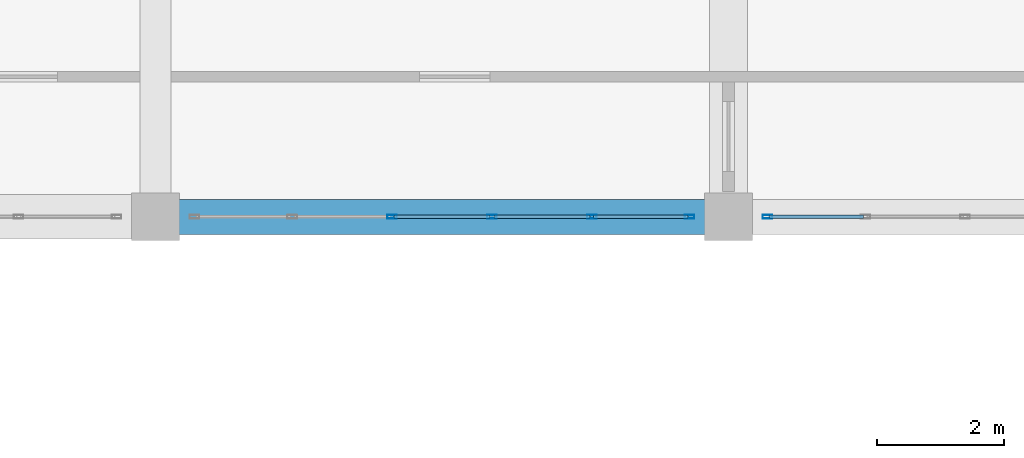
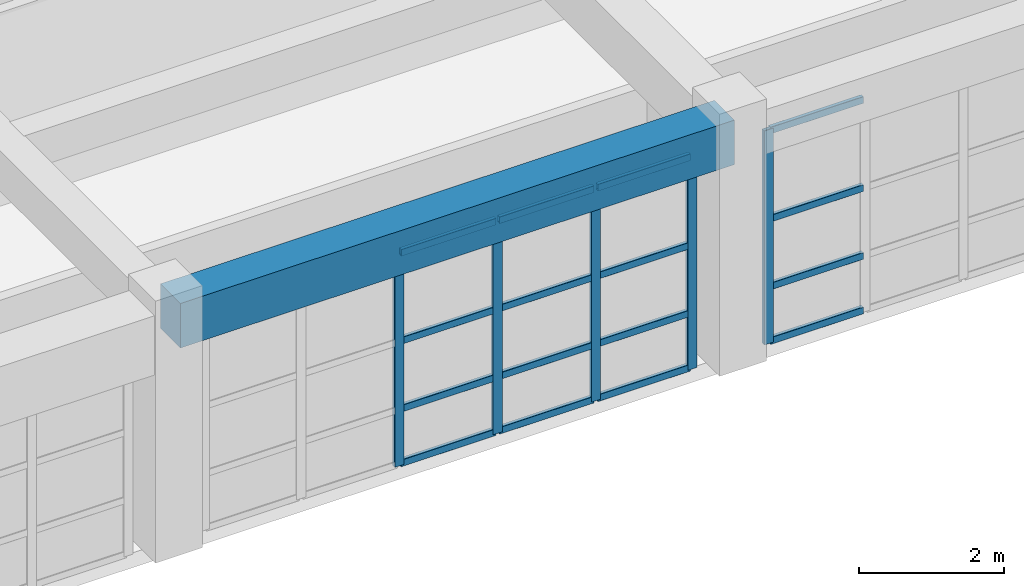
# One storey, part 70 of 133: 21 members, 1 beam, 2 elements without a shape of their own.
"""IFC4 building model written with IfcOpenShell, lengths in metres."""

from ifc_helpers import new_model, si_unit, direction, frame, origin, origin_2d, place, context, subcontext, project, spatial, rectangle, hollow_rectangle, extrude, material, material_profile, profile_set, type_object, element, aggregate, save


model = new_model("IFC4")

# Units and contexts
model_context = context("Model", 3, precision=1e-05, world=origin(), true_north=direction((0.0, 1.0)))
body_context = subcontext(model_context, "Body", "Model", "MODEL_VIEW")
ifc_project = project(units=[si_unit("LENGTHUNIT", "METRE"), si_unit("AREAUNIT", "SQUARE_METRE"), si_unit("VOLUMEUNIT", "CUBIC_METRE"), si_unit("PLANEANGLEUNIT", "RADIAN"), si_unit("MASSUNIT", "GRAM", prefix="KILO")], contexts=[model_context])

# Site, building, storey
site_placement = place(None, origin())
site = spatial("IfcSite", under=ifc_project, at=site_placement, CompositionType="ELEMENT")
building_placement = place(site_placement, origin())
building = spatial("IfcBuilding", under=site, at=building_placement, Name="Miravela Opera House", CompositionType="ELEMENT")
storey_placement = place(building_placement, frame((0.0, 0.0, 5.10009765625)))
storey = spatial("IfcBuildingStorey", under=building, at=storey_placement, Name="L01", CompositionType="ELEMENT", Elevation=5.10009765625)

# Curtain wall, members
ifc_material_1 = material(Name="Anodised architectural bronze aluminium 6063-T6", Category="aluminium")
curtain_wall_type = type_object("IfcCurtainWallType", Name="ARC-CW-05", PredefinedType="NOTDEFINED", material=ifc_material_1)
curtain_wall_1_placement = place(storey_placement, origin())
curtain_wall_1 = element("IfcCurtainWall", 1, at=curtain_wall_1_placement, inside=storey, type_object=curtain_wall_type, Name="Courtyard Arcade Curtain Wall CW-L01-082", PredefinedType="NOTDEFINED")
ifc_material_profile_1 = material_profile(ifc_material_1, hollow_rectangle(XDim=0.06005859375, YDim=0.14990234375, WallThickness=0.00390625, InnerFilletRadius=0.001953125, OuterFilletRadius=0.00390625, at=origin_2d()), Name="CWM-60X150")
ifc_profile_set_1 = profile_set([ifc_material_profile_1])
member_type_1 = type_object("IfcMemberType", Name="ARC-CWM-150", PredefinedType="MULLION", material=ifc_profile_set_1)
member_1_placement = place(storey_placement, frame((48.716064453125, 103.0, 0.0), z_axis=(0.0, 0.0, 1.0), x_axis=(0.0, 1.0, 0.0)))
member_1 = element("IfcMember", 2, at=member_1_placement, type_object=member_type_1, Name="CW-05 mullion 3", PredefinedType="MULLION", context=body_context, shape_type="SweptSolid", body=[
    extrude(hollow_rectangle(XDim=0.06005859375, YDim=0.14990234375, WallThickness=0.00390625, InnerFilletRadius=0.001953125, OuterFilletRadius=0.00390625, at=origin_2d()), origin(), (0.0, 0.0, 1.0), 3.60986328125),
])
member_2_placement = place(storey_placement, frame((50.283935546875, 103.0, 0.0), z_axis=(0.0, 0.0, 1.0), x_axis=(0.0, 1.0, 0.0)))
member_2 = element("IfcMember", 3, at=member_2_placement, type_object=member_type_1, Name="CW-05 mullion 4", PredefinedType="MULLION", context=body_context, shape_type="SweptSolid", body=[
    extrude(hollow_rectangle(XDim=0.06005859375, YDim=0.14990234375, WallThickness=0.00390625, InnerFilletRadius=0.001953125, OuterFilletRadius=0.00390625, at=origin_2d()), origin(), (0.0, 0.0, 1.0), 3.60986328125),
])
member_3_placement = place(storey_placement, frame((51.85205078125, 103.0, 0.0), z_axis=(0.0, 0.0, 1.0), x_axis=(0.0, 1.0, 0.0)))
member_3 = element("IfcMember", 4, at=member_3_placement, type_object=member_type_1, Name="CW-05 mullion 5", PredefinedType="MULLION", context=body_context, shape_type="SweptSolid", body=[
    extrude(hollow_rectangle(XDim=0.06005859375, YDim=0.14990234375, WallThickness=0.00390625, InnerFilletRadius=0.001953125, OuterFilletRadius=0.00390625, at=origin_2d()), origin(), (0.0, 0.0, 1.0), 3.60986328125),
])
member_4_placement = place(storey_placement, frame((53.389892578125, 103.0, 0.0), z_axis=(0.0, 0.0, 1.0), x_axis=(0.0, 1.0, 0.0)))
member_4 = element("IfcMember", 5, at=member_4_placement, type_object=member_type_1, Name="CW-05 mullion 6", PredefinedType="MULLION", context=body_context, shape_type="SweptSolid", body=[
    extrude(hollow_rectangle(XDim=0.06005859375, YDim=0.14990234375, WallThickness=0.00390625, InnerFilletRadius=0.001953125, OuterFilletRadius=0.00390625, at=origin_2d()), origin(), (0.0, 0.0, 1.0), 3.60986328125),
])

# Curtain wall, member
curtain_wall_2_placement = place(storey_placement, origin())
curtain_wall_2 = element("IfcCurtainWall", 6, at=curtain_wall_2_placement, inside=storey, type_object=curtain_wall_type, Name="Courtyard Arcade Curtain Wall CW-L01-084", PredefinedType="NOTDEFINED")
member_5_placement = place(storey_placement, frame((54.610107421875, 103.0, 0.0), z_axis=(0.0, 0.0, 1.0), x_axis=(0.0, 1.0, 0.0)))
member_5 = element("IfcMember", 7, at=member_5_placement, type_object=member_type_1, Name="CW-05 mullion 1", PredefinedType="MULLION", context=body_context, shape_type="SweptSolid", body=[
    extrude(hollow_rectangle(XDim=0.06005859375, YDim=0.14990234375, WallThickness=0.00390625, InnerFilletRadius=0.001953125, OuterFilletRadius=0.00390625, at=origin_2d()), origin(), (0.0, 0.0, 1.0), 3.60986328125),
])

# Member
ifc_material_profile_2 = material_profile(ifc_material_1, hollow_rectangle(XDim=0.06005859375, YDim=0.114990234375, WallThickness=0.00390625, InnerFilletRadius=0.001953125, OuterFilletRadius=0.00390625, at=origin_2d()), Name="CWT-60X115")
ifc_profile_set_2 = profile_set([ifc_material_profile_2])
member_type_2 = type_object("IfcMemberType", Name="ARC-CWT-115", PredefinedType="USERDEFINED", material=ifc_profile_set_2)
member_6_placement = place(storey_placement, frame((48.74609375, 103.0, 0.02978515625), z_axis=(1.0, 0.0, 0.0), x_axis=(0.0, 1.0, 0.0)))
member_6 = element("IfcMember", 8, at=member_6_placement, type_object=member_type_2, Name="CW-05 transom 3.1", ObjectType="TRANSOM", PredefinedType="USERDEFINED", context=body_context, shape_type="SweptSolid", body=[
    extrude(hollow_rectangle(XDim=0.06005859375, YDim=0.114990234375, WallThickness=0.00390625, InnerFilletRadius=0.001953125, OuterFilletRadius=0.00390625, at=origin_2d()), origin(), (0.0, 0.0, 1.0), 1.5078125),
])

member_7_placement = place(storey_placement, frame((48.74609375, 103.0, 0.949951171875), z_axis=(1.0, 0.0, 0.0), x_axis=(0.0, 1.0, 0.0)))
member_7 = element("IfcMember", 9, at=member_7_placement, type_object=member_type_2, Name="CW-05 transom 3.2", ObjectType="TRANSOM", PredefinedType="USERDEFINED", context=body_context, shape_type="SweptSolid", body=[
    extrude(hollow_rectangle(XDim=0.06005859375, YDim=0.114990234375, WallThickness=0.00390625, InnerFilletRadius=0.001953125, OuterFilletRadius=0.00390625, at=origin_2d()), origin(), (0.0, 0.0, 1.0), 1.5078125),
])

member_8_placement = place(storey_placement, frame((48.74609375, 103.0, 2.09375), z_axis=(1.0, 0.0, 0.0), x_axis=(0.0, 1.0, 0.0)))
member_8 = element("IfcMember", 10, at=member_8_placement, type_object=member_type_2, Name="CW-05 transom 3.3", ObjectType="TRANSOM", PredefinedType="USERDEFINED", context=body_context, shape_type="SweptSolid", body=[
    extrude(hollow_rectangle(XDim=0.06005859375, YDim=0.114990234375, WallThickness=0.00390625, InnerFilletRadius=0.001953125, OuterFilletRadius=0.00390625, at=origin_2d()), origin(), (0.0, 0.0, 1.0), 1.5078125),
])

member_9_placement = place(storey_placement, frame((48.74609375, 103.0, 3.579833984375), z_axis=(1.0, 0.0, 0.0), x_axis=(0.0, 1.0, 0.0)))
member_9 = element("IfcMember", 11, at=member_9_placement, type_object=member_type_2, Name="CW-05 transom 3.4", ObjectType="TRANSOM", PredefinedType="USERDEFINED", context=body_context, shape_type="SweptSolid", body=[
    extrude(hollow_rectangle(XDim=0.06005859375, YDim=0.114990234375, WallThickness=0.00390625, InnerFilletRadius=0.001953125, OuterFilletRadius=0.00390625, at=origin_2d()), origin(), (0.0, 0.0, 1.0), 1.5078125),
])

member_10_placement = place(storey_placement, frame((50.31396484375, 103.0, 0.02978515625), z_axis=(1.0, 0.0, 0.0), x_axis=(0.0, 1.0, 0.0)))
member_10 = element("IfcMember", 12, at=member_10_placement, type_object=member_type_2, Name="CW-05 transom 4.1", ObjectType="TRANSOM", PredefinedType="USERDEFINED", context=body_context, shape_type="SweptSolid", body=[
    extrude(hollow_rectangle(XDim=0.06005859375, YDim=0.114990234375, WallThickness=0.00390625, InnerFilletRadius=0.001953125, OuterFilletRadius=0.00390625, at=origin_2d()), origin(), (0.0, 0.0, 1.0), 1.508056640625),
])

member_11_placement = place(storey_placement, frame((50.31396484375, 103.0, 0.949951171875), z_axis=(1.0, 0.0, 0.0), x_axis=(0.0, 1.0, 0.0)))
member_11 = element("IfcMember", 13, at=member_11_placement, type_object=member_type_2, Name="CW-05 transom 4.2", ObjectType="TRANSOM", PredefinedType="USERDEFINED", context=body_context, shape_type="SweptSolid", body=[
    extrude(hollow_rectangle(XDim=0.06005859375, YDim=0.114990234375, WallThickness=0.00390625, InnerFilletRadius=0.001953125, OuterFilletRadius=0.00390625, at=origin_2d()), origin(), (0.0, 0.0, 1.0), 1.508056640625),
])

member_12_placement = place(storey_placement, frame((50.31396484375, 103.0, 2.09375), z_axis=(1.0, 0.0, 0.0), x_axis=(0.0, 1.0, 0.0)))
member_12 = element("IfcMember", 14, at=member_12_placement, type_object=member_type_2, Name="CW-05 transom 4.3", ObjectType="TRANSOM", PredefinedType="USERDEFINED", context=body_context, shape_type="SweptSolid", body=[
    extrude(hollow_rectangle(XDim=0.06005859375, YDim=0.114990234375, WallThickness=0.00390625, InnerFilletRadius=0.001953125, OuterFilletRadius=0.00390625, at=origin_2d()), origin(), (0.0, 0.0, 1.0), 1.508056640625),
])

member_13_placement = place(storey_placement, frame((50.31396484375, 103.0, 3.579833984375), z_axis=(1.0, 0.0, 0.0), x_axis=(0.0, 1.0, 0.0)))
member_13 = element("IfcMember", 15, at=member_13_placement, type_object=member_type_2, Name="CW-05 transom 4.4", ObjectType="TRANSOM", PredefinedType="USERDEFINED", context=body_context, shape_type="SweptSolid", body=[
    extrude(hollow_rectangle(XDim=0.06005859375, YDim=0.114990234375, WallThickness=0.00390625, InnerFilletRadius=0.001953125, OuterFilletRadius=0.00390625, at=origin_2d()), origin(), (0.0, 0.0, 1.0), 1.508056640625),
])

member_14_placement = place(storey_placement, frame((51.882080078125, 103.0, 0.02978515625), z_axis=(1.0, 0.0, 0.0), x_axis=(0.0, 1.0, 0.0)))
member_14 = element("IfcMember", 16, at=member_14_placement, type_object=member_type_2, Name="CW-05 transom 5.1", ObjectType="TRANSOM", PredefinedType="USERDEFINED", context=body_context, shape_type="SweptSolid", body=[
    extrude(hollow_rectangle(XDim=0.06005859375, YDim=0.114990234375, WallThickness=0.00390625, InnerFilletRadius=0.001953125, OuterFilletRadius=0.00390625, at=origin_2d()), origin(), (0.0, 0.0, 1.0), 1.47802734375),
])

member_15_placement = place(storey_placement, frame((51.882080078125, 103.0, 0.949951171875), z_axis=(1.0, 0.0, 0.0), x_axis=(0.0, 1.0, 0.0)))
member_15 = element("IfcMember", 17, at=member_15_placement, type_object=member_type_2, Name="CW-05 transom 5.2", ObjectType="TRANSOM", PredefinedType="USERDEFINED", context=body_context, shape_type="SweptSolid", body=[
    extrude(hollow_rectangle(XDim=0.06005859375, YDim=0.114990234375, WallThickness=0.00390625, InnerFilletRadius=0.001953125, OuterFilletRadius=0.00390625, at=origin_2d()), origin(), (0.0, 0.0, 1.0), 1.47802734375),
])

member_16_placement = place(storey_placement, frame((51.882080078125, 103.0, 2.09375), z_axis=(1.0, 0.0, 0.0), x_axis=(0.0, 1.0, 0.0)))
member_16 = element("IfcMember", 18, at=member_16_placement, type_object=member_type_2, Name="CW-05 transom 5.3", ObjectType="TRANSOM", PredefinedType="USERDEFINED", context=body_context, shape_type="SweptSolid", body=[
    extrude(hollow_rectangle(XDim=0.06005859375, YDim=0.114990234375, WallThickness=0.00390625, InnerFilletRadius=0.001953125, OuterFilletRadius=0.00390625, at=origin_2d()), origin(), (0.0, 0.0, 1.0), 1.47802734375),
])

member_17_placement = place(storey_placement, frame((51.882080078125, 103.0, 3.579833984375), z_axis=(1.0, 0.0, 0.0), x_axis=(0.0, 1.0, 0.0)))
member_17 = element("IfcMember", 19, at=member_17_placement, type_object=member_type_2, Name="CW-05 transom 5.4", ObjectType="TRANSOM", PredefinedType="USERDEFINED", context=body_context, shape_type="SweptSolid", body=[
    extrude(hollow_rectangle(XDim=0.06005859375, YDim=0.114990234375, WallThickness=0.00390625, InnerFilletRadius=0.001953125, OuterFilletRadius=0.00390625, at=origin_2d()), origin(), (0.0, 0.0, 1.0), 1.47802734375),
])

aggregate(curtain_wall_1, [member_1, member_2, member_3, member_4, member_6, member_7, member_8, member_9, member_10, member_11, member_12, member_13, member_14, member_15, member_16, member_17])

member_18_placement = place(storey_placement, frame((54.639892578125, 103.0, 0.02978515625), z_axis=(1.0, 0.0, 0.0), x_axis=(0.0, 1.0, 0.0)))
member_18 = element("IfcMember", 20, at=member_18_placement, type_object=member_type_2, Name="CW-05 transom 1.1", ObjectType="TRANSOM", PredefinedType="USERDEFINED", context=body_context, shape_type="SweptSolid", body=[
    extrude(hollow_rectangle(XDim=0.06005859375, YDim=0.114990234375, WallThickness=0.00390625, InnerFilletRadius=0.001953125, OuterFilletRadius=0.00390625, at=origin_2d()), origin(), (0.0, 0.0, 1.0), 1.47802734375),
])

member_19_placement = place(storey_placement, frame((54.639892578125, 103.0, 0.949951171875), z_axis=(1.0, 0.0, 0.0), x_axis=(0.0, 1.0, 0.0)))
member_19 = element("IfcMember", 21, at=member_19_placement, type_object=member_type_2, Name="CW-05 transom 1.2", ObjectType="TRANSOM", PredefinedType="USERDEFINED", context=body_context, shape_type="SweptSolid", body=[
    extrude(hollow_rectangle(XDim=0.06005859375, YDim=0.114990234375, WallThickness=0.00390625, InnerFilletRadius=0.001953125, OuterFilletRadius=0.00390625, at=origin_2d()), origin(), (0.0, 0.0, 1.0), 1.47802734375),
])

member_20_placement = place(storey_placement, frame((54.639892578125, 103.0, 2.09375), z_axis=(1.0, 0.0, 0.0), x_axis=(0.0, 1.0, 0.0)))
member_20 = element("IfcMember", 22, at=member_20_placement, type_object=member_type_2, Name="CW-05 transom 1.3", ObjectType="TRANSOM", PredefinedType="USERDEFINED", context=body_context, shape_type="SweptSolid", body=[
    extrude(hollow_rectangle(XDim=0.06005859375, YDim=0.114990234375, WallThickness=0.00390625, InnerFilletRadius=0.001953125, OuterFilletRadius=0.00390625, at=origin_2d()), origin(), (0.0, 0.0, 1.0), 1.47802734375),
])

member_21_placement = place(storey_placement, frame((54.639892578125, 103.0, 3.579833984375), z_axis=(1.0, 0.0, 0.0), x_axis=(0.0, 1.0, 0.0)))
member_21 = element("IfcMember", 23, at=member_21_placement, type_object=member_type_2, Name="CW-05 transom 1.4", ObjectType="TRANSOM", PredefinedType="USERDEFINED", context=body_context, shape_type="SweptSolid", body=[
    extrude(hollow_rectangle(XDim=0.06005859375, YDim=0.114990234375, WallThickness=0.00390625, InnerFilletRadius=0.001953125, OuterFilletRadius=0.00390625, at=origin_2d()), origin(), (0.0, 0.0, 1.0), 1.47802734375),
])

aggregate(curtain_wall_2, [member_5, member_18, member_19, member_20, member_21])

# Beam
ifc_material_2 = material(Name="Concrete C35/45", Category="concrete")
ifc_material_profile_3 = material_profile(ifc_material_2, rectangle(XDim=0.550048828125, YDim=0.75, at=origin_2d()), Name="RC-BM-550X750")
ifc_profile_set_3 = profile_set([ifc_material_profile_3])
beam_type = type_object("IfcBeamType", Name="STR-BM-RC550X750", PredefinedType="BEAM", material=ifc_profile_set_3)
beam_placement = place(storey_placement, frame((45.080078125, 103.0, 3.784912109375), z_axis=(1.0, 0.0, 0.0), x_axis=(0.0, 1.0, 0.0)))
element("IfcBeam", 24, at=beam_placement, inside=storey, type_object=beam_type, Name="Floor Girder L01 6-7/L", PredefinedType="BEAM", context=body_context, shape_type="SweptSolid", body=[
    extrude(rectangle(XDim=0.550048828125, YDim=0.75, at=origin_2d()), origin(), (0.0, 0.0, 1.0), 8.83984375),
])

save(model, "model.ifc")
